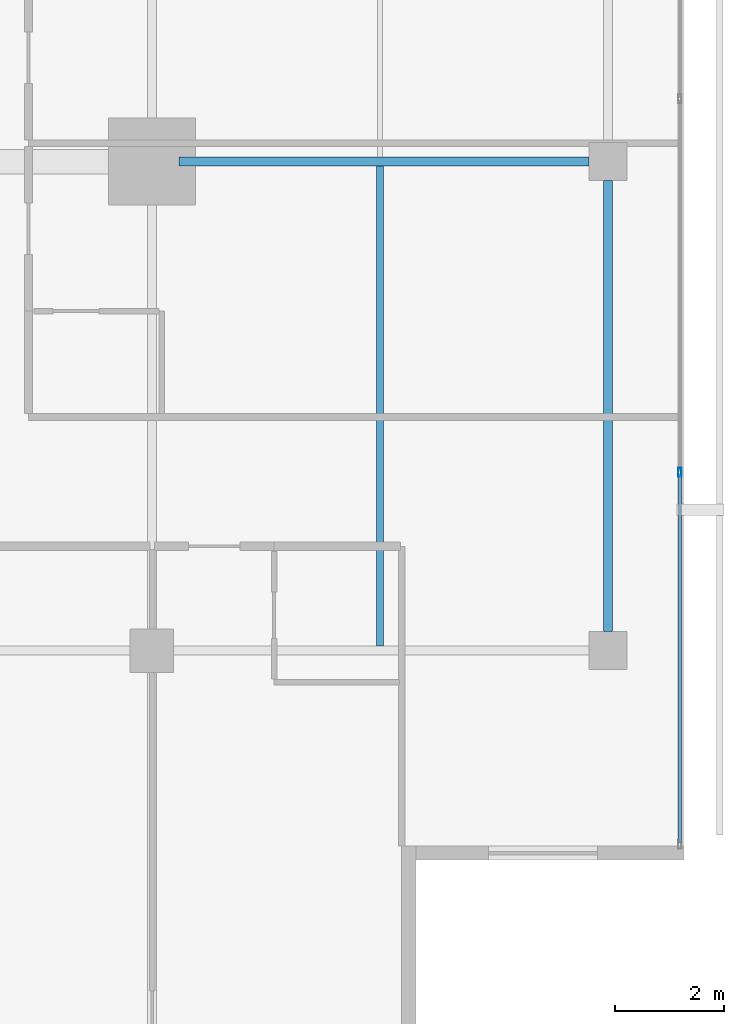
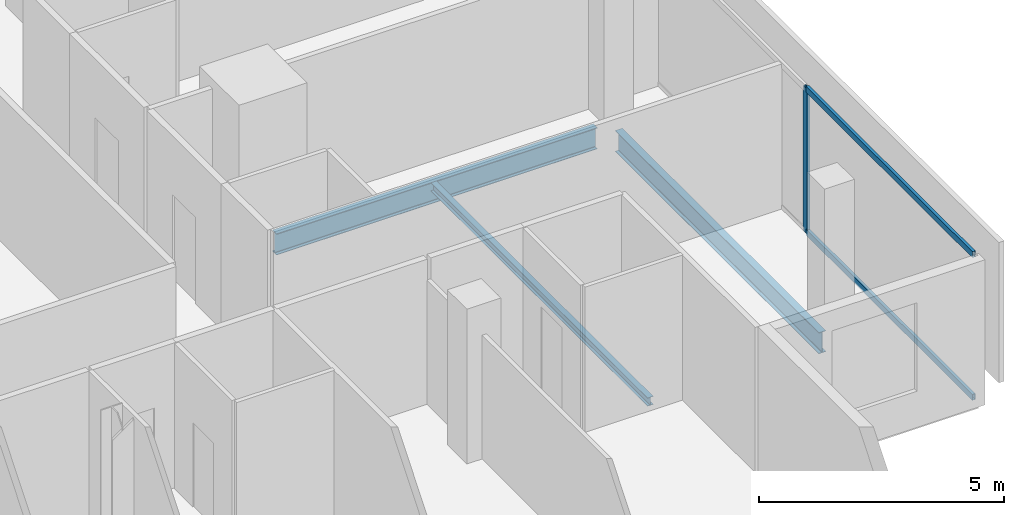
# One storey, part 12 of 26: 3 beams, 3 members, 1 element without a shape of its own.
"""IFC4 building model written with IfcOpenShell, lengths in metres."""

from ifc_helpers import new_model, si_unit, direction, frame, origin, origin_2d, place, context, subcontext, project, spatial, hollow_rectangle, i_section, extrude, material, layer, layer_set, material_profile, profile_set, type_object, element, aggregate, save


model = new_model("IFC4")

# Units and contexts
model_context = context("Model", 3, precision=1e-05, world=origin(), true_north=direction((0.0, 1.0)))
body_context = subcontext(model_context, "Body", "Model", "MODEL_VIEW")
ifc_project = project(units=[si_unit("LENGTHUNIT", "METRE"), si_unit("AREAUNIT", "SQUARE_METRE"), si_unit("VOLUMEUNIT", "CUBIC_METRE"), si_unit("PLANEANGLEUNIT", "RADIAN"), si_unit("MASSUNIT", "GRAM", prefix="KILO")], contexts=[model_context])

# Site, building, storey
site_placement = place(None, origin())
site = spatial("IfcSite", under=ifc_project, at=site_placement, CompositionType="ELEMENT")
building_placement = place(site_placement, origin())
building = spatial("IfcBuilding", under=site, at=building_placement, Name="Maruvema Waterfront Hotel and Observation Tower", CompositionType="ELEMENT")
storey_placement = place(building_placement, frame((0.0, 0.0, 289.449951171875)))
storey = spatial("IfcBuildingStorey", under=building, at=storey_placement, Name="L71", CompositionType="ELEMENT", Elevation=289.449951171875)

# Curtain wall, members
ifc_material_1 = material(Name="Anodised bronze aluminium and solar-control low-E IGU", Category="aluminium")
ifc_layer = layer(ifc_material_1, 0.159912109375, Name="Zone 3 Champagne Inner Thermal Curtain Wall System CW-04")
ifc_layer_set = layer_set([ifc_layer], Name="Anodised bronze aluminium and solar-control low-E IGU")
curtain_wall_type = type_object("IfcCurtainWallType", Name="Zone 3 Champagne Inner Thermal Curtain Wall System CW-04", PredefinedType="USERDEFINED", material=ifc_layer_set)
curtain_wall_placement = place(storey_placement, origin())
curtain_wall = element("IfcCurtainWall", 1, at=curtain_wall_placement, inside=storey, type_object=curtain_wall_type, Name="L71 Curtain Wall CW-L71-E", ObjectType="UNITISED CURTAIN WALL", PredefinedType="USERDEFINED")
ifc_material_2 = material(Name="Anodised architectural bronze aluminium", Category="aluminium")
ifc_material_profile_1 = material_profile(ifc_material_2, hollow_rectangle(XDim=0.070068359375, YDim=0.14990234375, WallThickness=0.00390625, at=origin_2d()), Name="ALU-T70x150")
ifc_profile_set_1 = profile_set([ifc_material_profile_1], Name="Anodised architectural bronze aluminium")
member_type_1 = type_object("IfcMemberType", Name="Curtain Wall Horizontal Transom ALU-T70x150", PredefinedType="USERDEFINED", material=ifc_profile_set_1)
member_1_placement = place(storey_placement, frame((60.1201171875, 14.4599609375, 0.030029296875), z_axis=(0.0, 1.0, 0.0), x_axis=(-1.0, 0.0, 0.0)))
member_1 = element("IfcMember", 2, at=member_1_placement, type_object=member_type_1, Name="CW-04 transom 1.1", ObjectType="TRANSOM", PredefinedType="USERDEFINED", context=body_context, shape_type="SweptSolid", body=[
    extrude(hollow_rectangle(XDim=0.070068359375, YDim=0.14990234375, WallThickness=0.00390625, at=origin_2d()), origin(), (0.0, 0.0, 1.0), 6.7900390625),
])
member_2_placement = place(storey_placement, frame((60.1201171875, 14.4599609375, 3.580078125), z_axis=(0.0, 1.0, 0.0), x_axis=(-1.0, 0.0, 0.0)))
member_2 = element("IfcMember", 3, at=member_2_placement, type_object=member_type_1, Name="CW-04 transom 1.2", ObjectType="TRANSOM", PredefinedType="USERDEFINED", context=body_context, shape_type="SweptSolid", body=[
    extrude(hollow_rectangle(XDim=0.070068359375, YDim=0.14990234375, WallThickness=0.00390625, at=origin_2d()), origin(), (0.0, 0.0, 1.0), 6.7900390625),
])
ifc_material_3 = material(Name="Anodised architectural bronze aluminium", Category="aluminium")
ifc_material_profile_2 = material_profile(ifc_material_3, hollow_rectangle(XDim=0.06494140625, YDim=0.1650390625, WallThickness=0.00390625, at=origin_2d()), Name="ALU-M65x165")
ifc_profile_set_2 = profile_set([ifc_material_profile_2], Name="Anodised architectural bronze aluminium")
member_type_2 = type_object("IfcMemberType", Name="Curtain Wall Primary Mullion ALU-M65x165", PredefinedType="MULLION", material=ifc_profile_set_2)
member_3_placement = place(storey_placement, frame((60.1201171875, 21.280029296875, 0.0), z_axis=(0.0, 0.0, 1.0), x_axis=(-1.0, 0.0, 0.0)))
member_3 = element("IfcMember", 4, at=member_3_placement, type_object=member_type_2, Name="CW-04 mullion 2", PredefinedType="MULLION", context=body_context, shape_type="SweptSolid", body=[
    extrude(hollow_rectangle(XDim=0.06494140625, YDim=0.1650390625, WallThickness=0.00390625, at=origin_2d()), origin(), (0.0, 0.0, 1.0), 3.610107421875),
])
aggregate(curtain_wall, [member_3, member_1, member_2])

# Beams
ifc_material_4 = material(Name="Steel ASTM A572 Grade 50", Category="steel")
ifc_material_profile_3 = material_profile(ifc_material_4, i_section(OverallWidth=0.166015625, OverallDepth=0.529052734375, WebThickness=0.009765625, FlangeThickness=0.013671875, FilletRadius=0.014892578125, at=origin_2d()), Name="W530x74.0")
ifc_profile_set_3 = profile_set([ifc_material_profile_3], Name="Steel ASTM A572 Grade 50")
beam_type_1 = type_object("IfcBeamType", Name="Primary Floor Girder W530x74.0", PredefinedType="BEAM", material=ifc_profile_set_3)
beam_1_placement = place(storey_placement, frame((50.89990234375, 27.0, -0.50439453125), z_axis=(1.0, 0.0, 0.0), x_axis=(0.0, 1.0, 0.0)))
element("IfcBeam", 5, at=beam_1_placement, inside=storey, type_object=beam_type_1, Name="L71 Floor Girder EW-11", PredefinedType="BEAM", context=body_context, shape_type="SweptSolid", body=[
    extrude(i_section(OverallWidth=0.166015625, OverallDepth=0.529052734375, WebThickness=0.009765625, FlangeThickness=0.013671875, FilletRadius=0.014892578125, at=origin_2d()), origin(), (0.0, 0.0, 1.0), 7.550048828125),
])
beam_2_placement = place(storey_placement, frame((58.800048828125, 18.35009765625, -0.50439453125), z_axis=(0.0, 1.0, 0.0), x_axis=(-1.0, 0.0, 0.0)))
element("IfcBeam", 6, at=beam_2_placement, inside=storey, type_object=beam_type_1, Name="L71 Floor Girder NS-16", PredefinedType="BEAM", context=body_context, shape_type="SweptSolid", body=[
    extrude(i_section(OverallWidth=0.166015625, OverallDepth=0.529052734375, WebThickness=0.009765625, FlangeThickness=0.013671875, FilletRadius=0.014892578125, at=origin_2d()), origin(), (0.0, 0.0, 1.0), 8.2998046875),
])
ifc_material_5 = material(Name="Steel ASTM A572 Grade 50", Category="steel")
ifc_material_profile_4 = material_profile(ifc_material_5, i_section(OverallWidth=0.133056640625, OverallDepth=0.20703125, WebThickness=0.005859375, FlangeThickness=0.00830078125, FilletRadius=0.010009765625, at=origin_2d()), Name="W200x26.6")
ifc_profile_set_4 = profile_set([ifc_material_profile_4], Name="Steel ASTM A572 Grade 50")
beam_type_2 = type_object("IfcBeamType", Name="Secondary Floor Joist W200x26.6", PredefinedType="JOIST", material=ifc_profile_set_4)
beam_3_placement = place(storey_placement, frame((54.60009765625, 18.0830078125, -0.343505859375), z_axis=(0.0, 1.0, 0.0), x_axis=(-1.0, 0.0, 0.0)))
element("IfcBeam", 7, at=beam_3_placement, inside=storey, type_object=beam_type_2, Name="L71 Secondary Floor Joist JS-07", PredefinedType="JOIST", context=body_context, shape_type="SweptSolid", body=[
    extrude(i_section(OverallWidth=0.133056640625, OverallDepth=0.20703125, WebThickness=0.005859375, FlangeThickness=0.00830078125, FilletRadius=0.010009765625, at=origin_2d()), origin(), (0.0, 0.0, 1.0), 8.833984375),
])

save(model, "model.ifc")
